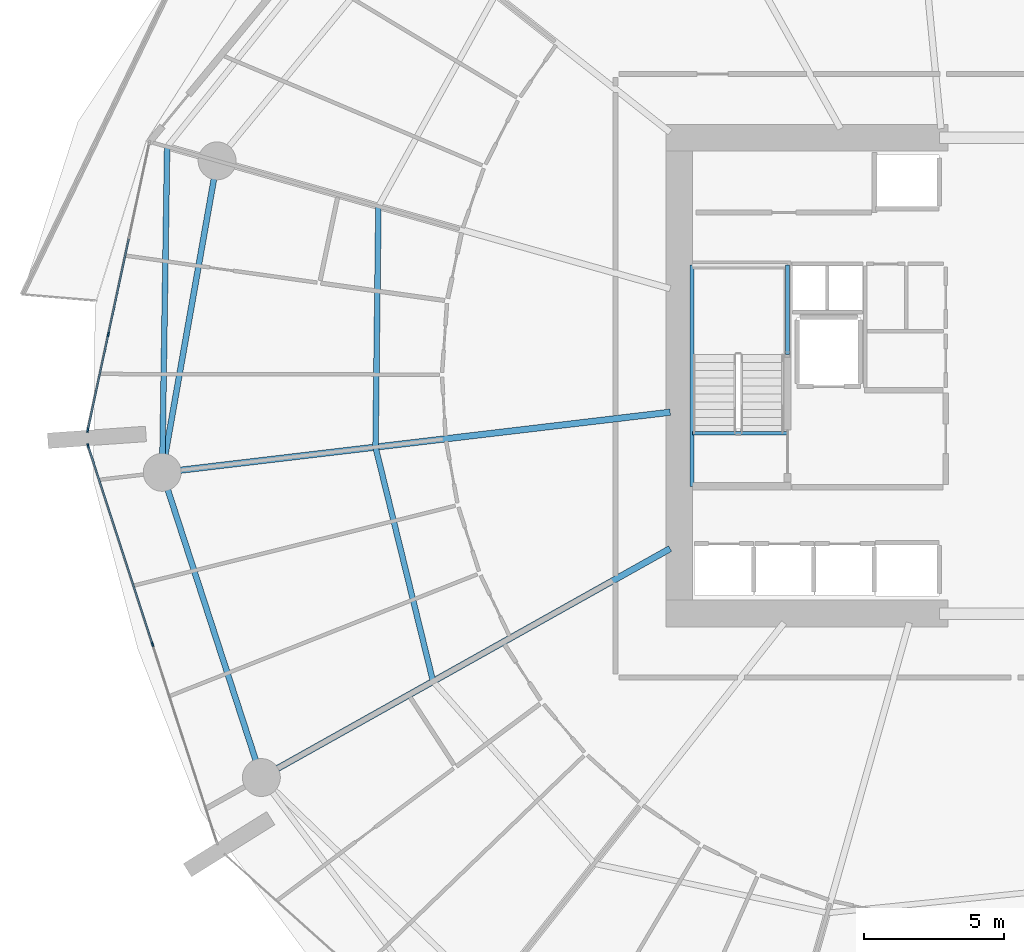
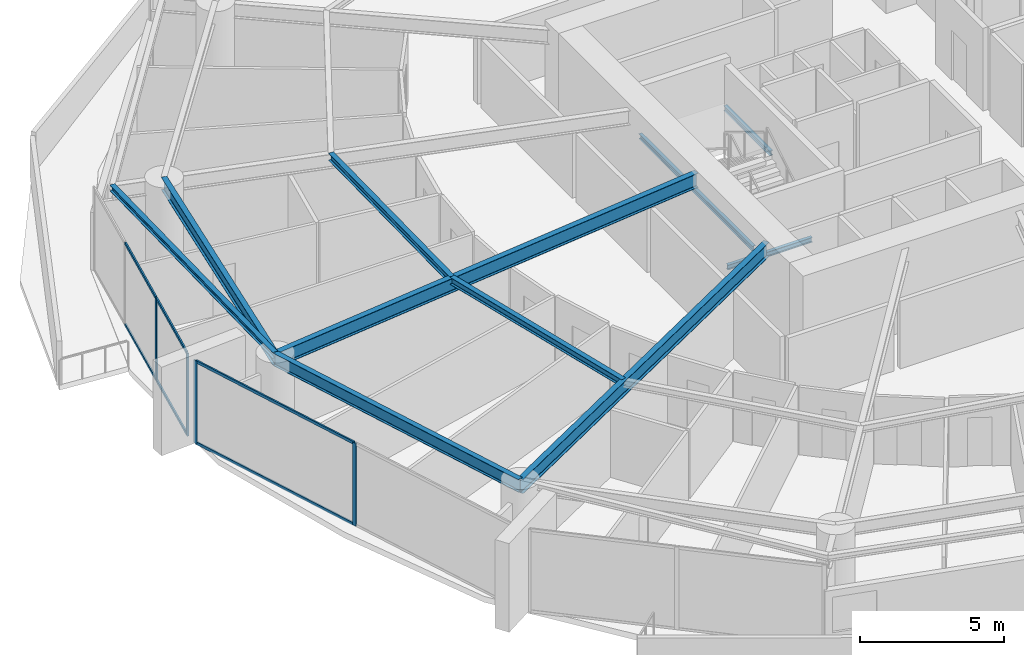
# One storey, part 8 of 31: 10 beams, 10 members, 2 elements without a shape of their own.
"""IFC4 building model written with IfcOpenShell, lengths in metres."""

import ifcopenshell
import ifcopenshell.guid

model = None  # the IFC model being written
_history = None  # IfcOwnerHistory: only IFC2X3 demands one
_inside = {}  # id of a spatial element -> (the spatial element, [elements in it])
_under = {}  # id of a project, library or spatial element -> (it, [spatial elements below it])
_declared = {}  # id of a project -> (the project, [libraries it declares])
_typed = {}  # id of a type object -> (the type object, [elements of that type])
_made_of = {}  # id of a material, layer set ... -> (it, [elements and type objects made of it])


def new_model(schema):
    """Start an empty IFC model of exactly this schema.

    Asked for "IFC4X3", IfcOpenShell would pick the latest addendum, in which some entities
    have other attributes; the version numbers below select the first issue.
    IFC2X3 requires an IfcOwnerHistory on every rooted entity: one is made here for all.
    """
    global model, _history
    if schema == "IFC4X3":
        model = ifcopenshell.file(schema_version=(4, 3, 0, 0))
    else:
        model = ifcopenshell.file(schema=schema)
    _inside.clear()
    _under.clear()
    _declared.clear()
    _typed.clear()
    _made_of.clear()
    _history = None
    if model.schema == "IFC2X3":
        org = make("IfcOrganization", Name="unknown")
        user = make(
            "IfcPersonAndOrganization",
            ThePerson=make("IfcPerson", FamilyName="unknown"),
            TheOrganization=org,
        )
        app = make(
            "IfcApplication",
            ApplicationDeveloper=org,
            Version="unknown",
            ApplicationFullName="unknown",
            ApplicationIdentifier="unknown",
        )
        _history = make(
            "IfcOwnerHistory",
            OwningUser=user,
            OwningApplication=app,
            ChangeAction="ADDED",
            CreationDate=0,
        )
    return model


def make(cls, **values):
    """One entity of the class cls with the attributes given. An attribute that is None is left unset."""
    return model.create_entity(
        cls, **{name: value for name, value in values.items() if value is not None}
    )


def rooted(cls, **values):
    """An entity with a GlobalId (a new one), such as an element, a storey or a relation."""
    return make(cls, GlobalId=ifcopenshell.guid.new(), OwnerHistory=_history, **values)


def si_unit(unit_type, name, prefix=None):
    """IfcSIUnit, for example si_unit("LENGTHUNIT", "METRE", prefix="MILLI")."""
    return make("IfcSIUnit", UnitType=unit_type, Prefix=prefix, Name=name)


def assignment(units):
    """IfcUnitAssignment: the units of a project."""
    return None if units is None else make("IfcUnitAssignment", Units=units)


def point(xyz):
    """IfcCartesianPoint."""
    return None if xyz is None else make("IfcCartesianPoint", Coordinates=xyz)


def direction(xyz):
    """IfcDirection."""
    return None if xyz is None else make("IfcDirection", DirectionRatios=xyz)


def frame(location, z_axis=None, x_axis=None):
    """IfcAxis2Placement3D, a coordinate frame: its origin and axes. An axis left out is left unset."""
    return make(
        "IfcAxis2Placement3D",
        Location=point(location),
        Axis=direction(z_axis),
        RefDirection=direction(x_axis),
    )


def frame_2d(location, x_axis=None):
    """IfcAxis2Placement2D, a coordinate frame in the plane: its origin and x axis."""
    return make(
        "IfcAxis2Placement2D", Location=point(location), RefDirection=direction(x_axis)
    )


def origin():
    """The frame at (0, 0, 0) with its axes left unset."""
    return frame((0.0, 0.0, 0.0))


def origin_2d():
    """The frame at (0, 0) in the plane with its x axis left unset."""
    return frame_2d((0.0, 0.0))


def place(relative_to, where):
    """IfcLocalPlacement: puts the frame where relative to a parent placement (None: the world)."""
    return make(
        "IfcLocalPlacement", PlacementRelTo=relative_to, RelativePlacement=where
    )


def context(
    kind, dimensions, precision=None, world=None, true_north=None, identifier=None
):
    """IfcGeometricRepresentationContext, for example the 3D "Model" context."""
    return make(
        "IfcGeometricRepresentationContext",
        ContextIdentifier=identifier,
        ContextType=kind,
        CoordinateSpaceDimension=dimensions,
        Precision=precision,
        WorldCoordinateSystem=world,
        TrueNorth=true_north,
    )


def subcontext(parent, identifier, kind, view, scale=None):
    """IfcGeometricRepresentationSubContext, for example "Body" below "Model"."""
    return make(
        "IfcGeometricRepresentationSubContext",
        ContextIdentifier=identifier,
        ContextType=kind,
        ParentContext=parent,
        TargetScale=scale,
        TargetView=view,
    )


def project(units=None, contexts=None):
    """IfcProject with its units and contexts."""
    return rooted(
        "IfcProject",
        Name="project",
        RepresentationContexts=contexts,
        UnitsInContext=assignment(units),
    )


def spatial(cls, under=None, at=None, **own):
    """A site, building, storey or space (cls), placed at a placement, below another one or the project."""
    s = rooted(cls, ObjectPlacement=at, **own)
    if under is not None:
        _under.setdefault(under.id(), (under, []))[1].append(s)
    return s


def profile(cls, at=None, kind="AREA", **sizes):
    """A parametric profile (cls). Its sizes go by their IFC names, for example OverallWidth=200.0."""
    return make(cls, ProfileType=kind, Position=at, **sizes)


def rectangle(**sizes):
    """IfcRectangleProfileDef."""
    return profile("IfcRectangleProfileDef", **sizes)


def i_section(**sizes):
    """IfcIShapeProfileDef."""
    return profile("IfcIShapeProfileDef", **sizes)


def extrude(swept, where, along, depth):
    """IfcExtrudedAreaSolid: the profile swept, set in the frame where, extruded along a direction by depth."""
    return make(
        "IfcExtrudedAreaSolid",
        SweptArea=swept,
        Position=where,
        ExtrudedDirection=direction(along),
        Depth=depth,
    )


def shape(context_of_items, identifier, shape_type, items):
    """IfcShapeRepresentation: the items that make up one representation, for example the "Body"."""
    return make(
        "IfcShapeRepresentation",
        ContextOfItems=context_of_items,
        RepresentationIdentifier=identifier,
        RepresentationType=shape_type,
        Items=items,
    )


def material(Name=None, Category=None):
    """IfcMaterial."""
    return make("IfcMaterial", Name=Name, Category=Category)


def layer(
    of_material, thickness, ventilated=None, Name=None, Category=None, Priority=None
):
    """IfcMaterialLayer: one layer of a wall or slab, of a material (None: an air gap)."""
    return make(
        "IfcMaterialLayer",
        Material=of_material,
        LayerThickness=thickness,
        IsVentilated=ventilated,
        Name=Name,
        Category=Category,
        Priority=Priority,
    )


def layer_set(layers, Name=None):
    """IfcMaterialLayerSet."""
    return make("IfcMaterialLayerSet", MaterialLayers=layers, LayerSetName=Name)


def material_profile(
    of_material, cross_section, Name=None, Category=None, Priority=None
):
    """IfcMaterialProfile: a cross section and its material."""
    return make(
        "IfcMaterialProfile",
        Name=Name,
        Material=of_material,
        Profile=cross_section,
        Priority=Priority,
        Category=Category,
    )


def profile_set(profiles, Name=None, composite=None):
    """IfcMaterialProfileSet."""
    return make(
        "IfcMaterialProfileSet",
        Name=Name,
        MaterialProfiles=profiles,
        CompositeProfile=composite,
    )


def made_of(thing, what):
    """Note that an element or type object is made of a material, layer set ...; save() writes the relation."""
    if what is not None:
        _made_of.setdefault(what.id(), (what, []))[1].append(thing)
    return thing


def type_object(cls, material=None, **own):
    """A type object (cls), such as IfcWallType, which elements share."""
    return made_of(rooted(cls, **own), material)


def element(
    cls,
    number,
    at=None,
    inside=None,
    cuts=None,
    type_object=None,
    material=None,
    context=None,
    identifier="Body",
    shape_type=None,
    held_by="IfcProductDefinitionShape",
    body=None,
    shapes=None,
    **own,
):
    """One element of the class cls, such as IfcWall. Its Tag is "e" and its number.

    at: its placement. inside: the storey or other place that contains it. cuts: it is an
    opening in that element (IfcRelVoidsElement). A single representation is given by context,
    identifier, shape_type and body (its items); several are given by shapes. held_by: the class
    of the entity that holds the representations. save() writes the other relations.
    """
    e = rooted(cls, Tag="e%d" % number, ObjectPlacement=at, **own)
    if body is not None:
        shapes = [shape(context, identifier, shape_type, body)]
    if shapes is not None:
        e.Representation = make(held_by, Representations=shapes)
    if inside is not None:
        _inside.setdefault(inside.id(), (inside, []))[1].append(e)
    if cuts is not None:
        rooted(
            "IfcRelVoidsElement", RelatingBuildingElement=cuts, RelatedOpeningElement=e
        )
    if type_object is not None:
        _typed.setdefault(type_object.id(), (type_object, []))[1].append(e)
    return made_of(e, material)


def aggregate(whole, parts):
    """IfcRelAggregates: a whole, such as a stair, and the parts it consists of."""
    return rooted("IfcRelAggregates", RelatingObject=whole, RelatedObjects=parts)


def save(model, path):
    """Write the relations noted so far, then the file.

    IfcRelAggregates (storeys below a building ...), IfcRelContainedInSpatialStructure (elements
    in a storey), IfcRelDefinesByType, IfcRelAssociatesMaterial and IfcRelDeclares: one each for
    every whole, place, type object, material and project.
    """
    for whole, parts in _under.values():
        aggregate(whole, parts)
    for where, things in _inside.values():
        rooted(
            "IfcRelContainedInSpatialStructure",
            RelatedElements=things,
            RelatingStructure=where,
        )
    for kind, things in _typed.values():
        rooted("IfcRelDefinesByType", RelatedObjects=things, RelatingType=kind)
    for what, things in _made_of.values():
        rooted("IfcRelAssociatesMaterial", RelatedObjects=things, RelatingMaterial=what)
    for by, libraries in _declared.values():
        rooted("IfcRelDeclares", RelatingContext=by, RelatedDefinitions=libraries)
    model.write(path)


model = new_model("IFC4")

# Units and contexts
model_context = context("Model", 3, precision=1e-05, world=origin(), true_north=direction((0.0, 1.0)))
body_context = subcontext(model_context, "Body", "Model", "MODEL_VIEW")
ifc_project = project(units=[si_unit("LENGTHUNIT", "METRE"), si_unit("AREAUNIT", "SQUARE_METRE"), si_unit("VOLUMEUNIT", "CUBIC_METRE"), si_unit("PLANEANGLEUNIT", "RADIAN"), si_unit("MASSUNIT", "GRAM", prefix="KILO")], contexts=[model_context])

# Site, building, storey
site_placement = place(None, origin())
site = spatial("IfcSite", under=ifc_project, at=site_placement, CompositionType="ELEMENT")
building_placement = place(site_placement, origin())
building = spatial("IfcBuilding", under=site, at=building_placement, Name="Kazma Halo Residences", CompositionType="ELEMENT")
storey_placement = place(building_placement, frame((0.0, 0.0, 41.39990234375)))
storey = spatial("IfcBuildingStorey", under=building, at=storey_placement, Name="L09", CompositionType="ELEMENT", Elevation=41.39990234375)

# Beams
ifc_material_1 = material(Name="Steel S355", Category="steel")
ifc_material_profile_1 = material_profile(ifc_material_1, i_section(OverallWidth=0.201904296875, OverallDepth=0.2470703125, WebThickness=0.00732421875, FlangeThickness=0.010986328125, FilletRadius=0.011962890625, at=origin_2d()), Name="W250x49.1")
ifc_profile_set_1 = profile_set([ifc_material_profile_1], Name="Steel S355")
beam_type_1 = type_object("IfcBeamType", Name="BM-BAL-CANT", PredefinedType="BEAM", material=ifc_profile_set_1)
beam_1_placement = place(storey_placement, frame((19.07861328125, 50.15673828125, 3.376708984375), z_axis=(-0.015213846033, -0.999884262747, 0.0), x_axis=(0.999884262747, -0.015213846033, 0.0)))
element("IfcBeam", 1, at=beam_1_placement, inside=storey, type_object=beam_type_1, Name="L09 wave-balcony tie beam 07", PredefinedType="BEAM", context=body_context, shape_type="SweptSolid", body=[
    extrude(i_section(OverallWidth=0.201904296875, OverallDepth=0.2470703125, WebThickness=0.00732421875, FlangeThickness=0.010986328125, FilletRadius=0.011962890625, at=origin_2d()), origin(), (0.0, 0.0, 1.0), 11.602294921875),
])
ifc_material_profile_2 = material_profile(ifc_material_1, i_section(OverallWidth=0.22802734375, OverallDepth=0.60791015625, WebThickness=0.01123046875, FlangeThickness=0.017333984375, FilletRadius=0.01806640625, at=origin_2d()), Name="W610x113")
ifc_profile_set_2 = profile_set([ifc_material_profile_2], Name="Steel S355")
beam_type_2 = type_object("IfcBeamType", Name="BM-RAD-W610", PredefinedType="BEAM", material=ifc_profile_set_2)
beam_2_placement = place(storey_placement, frame((37.0, 40.697998046875, 3.196044921875), z_axis=(-0.993068058728, -0.117540762013, 0.0), x_axis=(0.117540762013, -0.993068058728, 0.0)))
element("IfcBeam", 2, at=beam_2_placement, inside=storey, type_object=beam_type_2, Name="L09 radial floor beam 08", PredefinedType="BEAM", context=body_context, shape_type="SweptSolid", body=[
    extrude(i_section(OverallWidth=0.22802734375, OverallDepth=0.60791015625, WebThickness=0.01123046875, FlangeThickness=0.017333984375, FilletRadius=0.01806640625, at=origin_2d()), origin(), (0.0, 0.0, 1.0), 18.22412109375),
])
beam_3_placement = place(storey_placement, frame((37.0, 35.839599609375, 3.196044921875), z_axis=(-0.872496538947, -0.488620291767, 0.0), x_axis=(0.488620291767, -0.872496538947, 0.0)))
element("IfcBeam", 3, at=beam_3_placement, inside=storey, type_object=beam_type_2, Name="L09 radial floor beam 09", PredefinedType="BEAM", context=body_context, shape_type="SweptSolid", body=[
    extrude(i_section(OverallWidth=0.22802734375, OverallDepth=0.60791015625, WebThickness=0.01123046875, FlangeThickness=0.017333984375, FilletRadius=0.01806640625, at=origin_2d()), origin(), (0.0, 0.0, 1.0), 16.693359375),
])
ifc_material_profile_3 = material_profile(ifc_material_1, i_section(OverallWidth=0.202880859375, OverallDepth=0.302978515625, WebThickness=0.007568359375, FlangeThickness=0.01318359375, FilletRadius=0.013916015625, at=origin_2d()), Name="W310x60")
ifc_profile_set_3 = profile_set([ifc_material_profile_3], Name="Steel S355")
beam_type_3 = type_object("IfcBeamType", Name="BM-SEC-W310A", PredefinedType="JOIST", material=ifc_profile_set_3)
beam_4_placement = place(storey_placement, frame((26.605712890625, 48.033935546875, 3.3486328125), z_axis=(-0.011952697998, -0.999928563954, 0.0), x_axis=(0.999928563954, -0.011952697998, 0.0)))
element("IfcBeam", 4, at=beam_4_placement, inside=storey, type_object=beam_type_3, Name="L09 circumferential floor joist 07", PredefinedType="JOIST", context=body_context, shape_type="SweptSolid", body=[
    extrude(i_section(OverallWidth=0.202880859375, OverallDepth=0.302978515625, WebThickness=0.007568359375, FlangeThickness=0.01318359375, FilletRadius=0.013916015625, at=origin_2d()), origin(), (0.0, 0.0, 1.0), 8.578857421875),
])
beam_5_placement = place(storey_placement, frame((26.503173828125, 39.455810546875, 3.3486328125), z_axis=(0.238409585139, -0.971164697523, 0.0), x_axis=(0.971164697523, 0.238409585139, 0.0)))
element("IfcBeam", 5, at=beam_5_placement, inside=storey, type_object=beam_type_3, Name="L09 circumferential floor joist 08", PredefinedType="JOIST", context=body_context, shape_type="SweptSolid", body=[
    extrude(i_section(OverallWidth=0.202880859375, OverallDepth=0.302978515625, WebThickness=0.007568359375, FlangeThickness=0.01318359375, FilletRadius=0.013916015625, at=origin_2d()), origin(), (0.0, 0.0, 1.0), 8.5947265625),
])
ifc_material_profile_4 = material_profile(ifc_material_1, i_section(OverallWidth=0.208984375, OverallDepth=0.532958984375, WebThickness=0.01025390625, FlangeThickness=0.015625, FilletRadius=0.01611328125, at=origin_2d()), Name="W530x92")
ifc_profile_set_4 = profile_set([ifc_material_profile_4], Name="Steel S355")
beam_type_4 = type_object("IfcBeamType", Name="BM-SPN-W530", PredefinedType="BEAM", material=ifc_profile_set_4)
beam_6_placement = place(storey_placement, frame((20.859130859375, 49.654541015625, 3.233642578125), z_axis=(-0.173651864005, -0.984807103004, 0.0), x_axis=(0.984807103004, -0.173651864005, 0.0)))
element("IfcBeam", 6, at=beam_6_placement, inside=storey, type_object=beam_type_4, Name="L09 perimeter ring beam 07", PredefinedType="BEAM", context=body_context, shape_type="SweptSolid", body=[
    extrude(i_section(OverallWidth=0.208984375, OverallDepth=0.532958984375, WebThickness=0.01025390625, FlangeThickness=0.015625, FilletRadius=0.01611328125, at=origin_2d()), origin(), (0.0, 0.0, 1.0), 11.269775390625),
])
beam_7_placement = place(storey_placement, frame((18.902099609375, 38.555908203125, 3.233642578125), z_axis=(0.309024264898, -0.951054153928, 0.0), x_axis=(0.951054153928, 0.309024264898, 0.0)))
element("IfcBeam", 7, at=beam_7_placement, inside=storey, type_object=beam_type_4, Name="L09 perimeter ring beam 08", PredefinedType="BEAM", context=body_context, shape_type="SweptSolid", body=[
    extrude(i_section(OverallWidth=0.208984375, OverallDepth=0.532958984375, WebThickness=0.01025390625, FlangeThickness=0.015625, FilletRadius=0.01611328125, at=origin_2d()), origin(), (0.0, 0.0, 1.0), 11.4326171875),
])
ifc_material_profile_5 = material_profile(ifc_material_1, i_section(OverallWidth=0.133056640625, OverallDepth=0.20703125, WebThickness=0.005859375, FlangeThickness=0.00830078125, FilletRadius=0.010009765625, at=origin_2d()), Name="W200x26.6")
ifc_profile_set_5 = profile_set([ifc_material_profile_5], Name="Steel S355")
beam_type_5 = type_object("IfcBeamType", Name="BM-TRIM-W200", PredefinedType="BEAM", material=ifc_profile_set_5)
beam_8_placement = place(storey_placement, frame((37.800048828125, 39.949951171875, -0.35986328125), z_axis=(1.0, 0.0, 0.0), x_axis=(0.0, 1.0, 0.0)))
element("IfcBeam", 8, at=beam_8_placement, inside=storey, type_object=beam_type_5, Name="L09 ST-01 floor landing support beam", PredefinedType="BEAM", context=body_context, shape_type="SweptSolid", body=[
    extrude(i_section(OverallWidth=0.133056640625, OverallDepth=0.20703125, WebThickness=0.005859375, FlangeThickness=0.00830078125, FilletRadius=0.010009765625, at=origin_2d()), origin(), (0.0, 0.0, 1.0), 3.3798828125),
])
beam_9_placement = place(storey_placement, frame((37.780029296875, 38.06005859375, 1.570068359375), z_axis=(0.0, 1.0, 0.0), x_axis=(-1.0, 0.0, 0.0)))
element("IfcBeam", 9, at=beam_9_placement, inside=storey, type_object=beam_type_5, Name="L09 ST-01 landing west wall ledger", PredefinedType="BEAM", context=body_context, shape_type="SweptSolid", body=[
    extrude(i_section(OverallWidth=0.133056640625, OverallDepth=0.20703125, WebThickness=0.005859375, FlangeThickness=0.00830078125, FilletRadius=0.010009765625, at=origin_2d()), origin(), (0.0, 0.0, 1.0), 7.8798828125),
])
beam_10_placement = place(storey_placement, frame((41.179931640625, 42.75, 1.570068359375), z_axis=(0.0, 1.0, 0.0), x_axis=(-1.0, 0.0, 0.0)))
element("IfcBeam", 10, at=beam_10_placement, inside=storey, type_object=beam_type_5, Name="L09 ST-01 landing east wall ledger", PredefinedType="BEAM", context=body_context, shape_type="SweptSolid", body=[
    extrude(i_section(OverallWidth=0.133056640625, OverallDepth=0.20703125, WebThickness=0.005859375, FlangeThickness=0.00830078125, FilletRadius=0.010009765625, at=origin_2d()), origin(), (0.0, 0.0, 1.0), 3.18994140625),
])

# Curtain wall, members
ifc_material_2 = material(Name="Aluminium AW-6063 T6 and Triple-Silver Low-E Glass", Category="aluminium")
ifc_layer = layer(ifc_material_2, 0.159912109375)
ifc_layer_set = layer_set([ifc_layer], Name="Aluminium AW-6063 T6 and Triple-Silver Low-E Glass")
curtain_wall_type = type_object("IfcCurtainWallType", Name="CW-SYS-2", PredefinedType="NOTDEFINED", material=ifc_layer_set)
curtain_wall_1_placement = place(storey_placement, origin())
curtain_wall_1 = element("IfcCurtainWall", 11, at=curtain_wall_1_placement, inside=storey, type_object=curtain_wall_type, Name="L09 unitised curtain wall B07", PredefinedType="NOTDEFINED")
ifc_material_3 = material(Name="Aluminium AW-6063 T6", Category="aluminium")
ifc_material_profile_6 = material_profile(ifc_material_3, rectangle(XDim=0.06005859375, YDim=0.159912109375, at=origin_2d()), Name="CWM-60x160")
ifc_profile_set_6 = profile_set([ifc_material_profile_6], Name="Aluminium AW-6063 T6")
member_type_1 = type_object("IfcMemberType", Name="CW-SYS-2-MUL", PredefinedType="MULLION", material=ifc_profile_set_6)
member_1_placement = place(storey_placement, frame((16.980712890625, 43.46435546875, 0.0), z_axis=(0.0, 0.0, 1.0), x_axis=(0.977779215096, -0.209637321406, 0.0)))
member_1 = element("IfcMember", 12, at=member_1_placement, type_object=member_type_1, Name="CWS-2 mullion 3", PredefinedType="MULLION", context=body_context, shape_type="SweptSolid", body=[
    extrude(rectangle(XDim=0.06005859375, YDim=0.159912109375, at=origin_2d()), origin(), (0.0, 0.0, 1.0), 3.5),
])
member_2_placement = place(storey_placement, frame((16.25048828125, 40.059326171875, 0.0), z_axis=(0.0, 0.0, 1.0), x_axis=(0.977779215096, -0.209637321406, 0.0)))
member_2 = element("IfcMember", 13, at=member_2_placement, type_object=member_type_1, Name="CWS-2 mullion 4", PredefinedType="MULLION", context=body_context, shape_type="SweptSolid", body=[
    extrude(rectangle(XDim=0.06005859375, YDim=0.159912109375, at=origin_2d()), origin(), (0.0, 0.0, 1.0), 3.5),
])

curtain_wall_2_placement = place(storey_placement, origin())
curtain_wall_2 = element("IfcCurtainWall", 14, at=curtain_wall_2_placement, inside=storey, type_object=curtain_wall_type, Name="L09 unitised curtain wall B08", PredefinedType="NOTDEFINED")
member_3_placement = place(storey_placement, frame((16.26171875, 39.500732421875, 0.0), z_axis=(0.0, 0.0, 1.0), x_axis=(0.95105652404, 0.309016970539, 0.0)))
member_3 = element("IfcMember", 15, at=member_3_placement, type_object=member_type_1, Name="CWS-2 mullion 1", PredefinedType="MULLION", context=body_context, shape_type="SweptSolid", body=[
    extrude(rectangle(XDim=0.06005859375, YDim=0.159912109375, at=origin_2d()), origin(), (0.0, 0.0, 1.0), 3.5),
])
member_4_placement = place(storey_placement, frame((18.55810546875, 32.43359375, 0.0), z_axis=(0.0, 0.0, 1.0), x_axis=(0.95105652404, 0.309016970539, 0.0)))
member_4 = element("IfcMember", 16, at=member_4_placement, type_object=member_type_1, Name="CWS-2 mullion 2", PredefinedType="MULLION", context=body_context, shape_type="SweptSolid", body=[
    extrude(rectangle(XDim=0.06005859375, YDim=0.159912109375, at=origin_2d()), origin(), (0.0, 0.0, 1.0), 3.5),
])

# Member
ifc_material_profile_7 = material_profile(ifc_material_3, rectangle(XDim=0.06005859375, YDim=0.1201171875, at=origin_2d()), Name="CWT-60x120")
ifc_profile_set_7 = profile_set([ifc_material_profile_7], Name="Aluminium AW-6063 T6")
member_type_2 = type_object("IfcMemberType", Name="CW-SYS-2-TRN", PredefinedType="USERDEFINED", material=ifc_profile_set_7)
member_5_placement = place(storey_placement, frame((17.710693359375, 46.869384765625, 0.030029296875), z_axis=(-0.209669136217, -0.977772393412, 0.0), x_axis=(0.977772393412, -0.209669136217, 0.0)))
member_5 = element("IfcMember", 17, at=member_5_placement, type_object=member_type_2, Name="CWS-2 transom 2.1", ObjectType="TRANSOM", PredefinedType="USERDEFINED", context=body_context, shape_type="SweptSolid", body=[
    extrude(rectangle(XDim=0.06005859375, YDim=0.1201171875, at=origin_2d()), origin(), (0.0, 0.0, 1.0), 3.452392578125),
])

member_6_placement = place(storey_placement, frame((17.710693359375, 46.869384765625, 3.47021484375), z_axis=(-0.209669136217, -0.977772393412, 0.0), x_axis=(0.977772393412, -0.209669136217, 0.0)))
member_6 = element("IfcMember", 18, at=member_6_placement, type_object=member_type_2, Name="CWS-2 transom 2.2", ObjectType="TRANSOM", PredefinedType="USERDEFINED", context=body_context, shape_type="SweptSolid", body=[
    extrude(rectangle(XDim=0.06005859375, YDim=0.1201171875, at=origin_2d()), origin(), (0.0, 0.0, 1.0), 3.452392578125),
])

member_7_placement = place(storey_placement, frame((16.974365234375, 43.434814453125, 0.030029296875), z_axis=(-0.209665500897, -0.977773172946, 0.0), x_axis=(0.977773172946, -0.209665500897, 0.0)))
member_7 = element("IfcMember", 19, at=member_7_placement, type_object=member_type_2, Name="CWS-2 transom 3.1", ObjectType="TRANSOM", PredefinedType="USERDEFINED", context=body_context, shape_type="SweptSolid", body=[
    extrude(rectangle(XDim=0.06005859375, YDim=0.1201171875, at=origin_2d()), origin(), (0.0, 0.0, 1.0), 3.42236328125),
])

member_8_placement = place(storey_placement, frame((16.974365234375, 43.434814453125, 3.47021484375), z_axis=(-0.209665500897, -0.977773172946, 0.0), x_axis=(0.977773172946, -0.209665500897, 0.0)))
member_8 = element("IfcMember", 20, at=member_8_placement, type_object=member_type_2, Name="CWS-2 transom 3.2", ObjectType="TRANSOM", PredefinedType="USERDEFINED", context=body_context, shape_type="SweptSolid", body=[
    extrude(rectangle(XDim=0.06005859375, YDim=0.1201171875, at=origin_2d()), origin(), (0.0, 0.0, 1.0), 3.42236328125),
])

aggregate(curtain_wall_1, [member_1, member_2, member_5, member_6, member_7, member_8])

member_9_placement = place(storey_placement, frame((16.27099609375, 39.47216796875, 0.030029296875), z_axis=(0.309034393795, -0.951050862705, 0.0), x_axis=(0.951050862705, 0.309034393795, 0.0)))
member_9 = element("IfcMember", 21, at=member_9_placement, type_object=member_type_2, Name="CWS-2 transom 1.1", ObjectType="TRANSOM", PredefinedType="USERDEFINED", context=body_context, shape_type="SweptSolid", body=[
    extrude(rectangle(XDim=0.06005859375, YDim=0.1201171875, at=origin_2d()), origin(), (0.0, 0.0, 1.0), 7.370849609375),
])

member_10_placement = place(storey_placement, frame((16.27099609375, 39.47216796875, 3.47021484375), z_axis=(0.309034393795, -0.951050862705, 0.0), x_axis=(0.951050862705, 0.309034393795, 0.0)))
member_10 = element("IfcMember", 22, at=member_10_placement, type_object=member_type_2, Name="CWS-2 transom 1.2", ObjectType="TRANSOM", PredefinedType="USERDEFINED", context=body_context, shape_type="SweptSolid", body=[
    extrude(rectangle(XDim=0.06005859375, YDim=0.1201171875, at=origin_2d()), origin(), (0.0, 0.0, 1.0), 7.370849609375),
])

aggregate(curtain_wall_2, [member_3, member_4, member_9, member_10])

save(model, "model.ifc")
